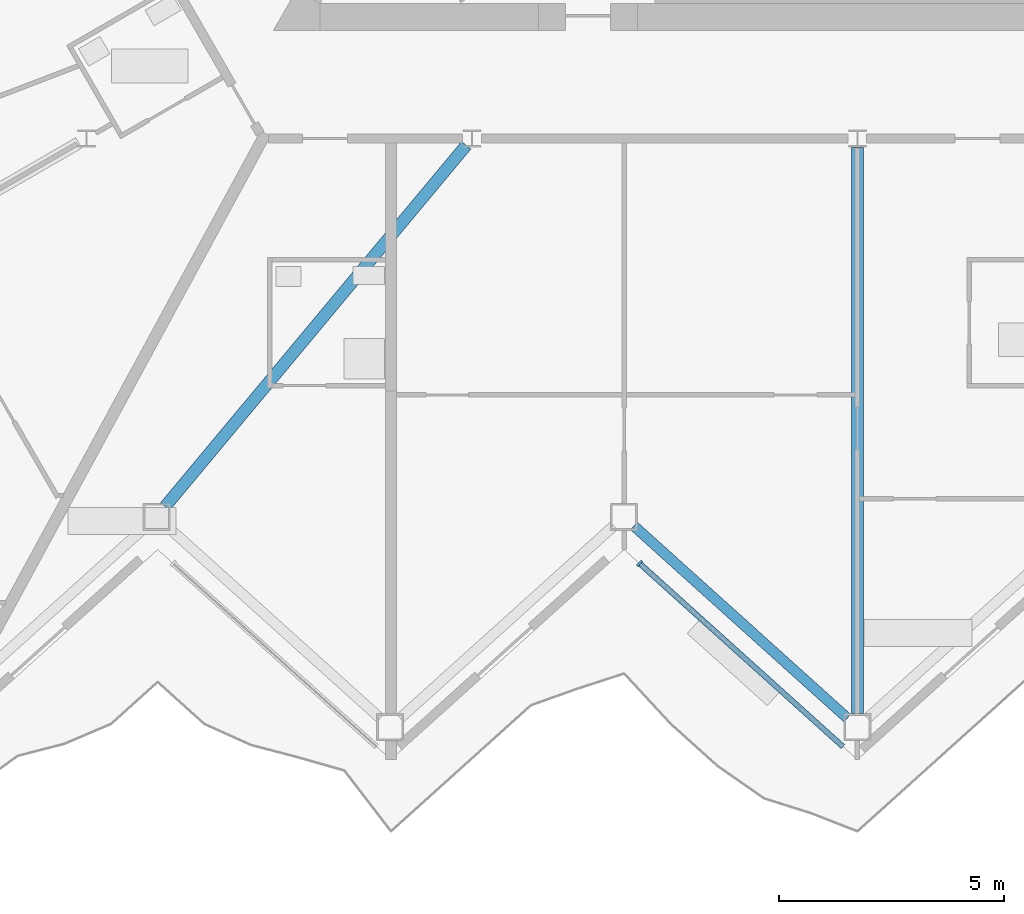
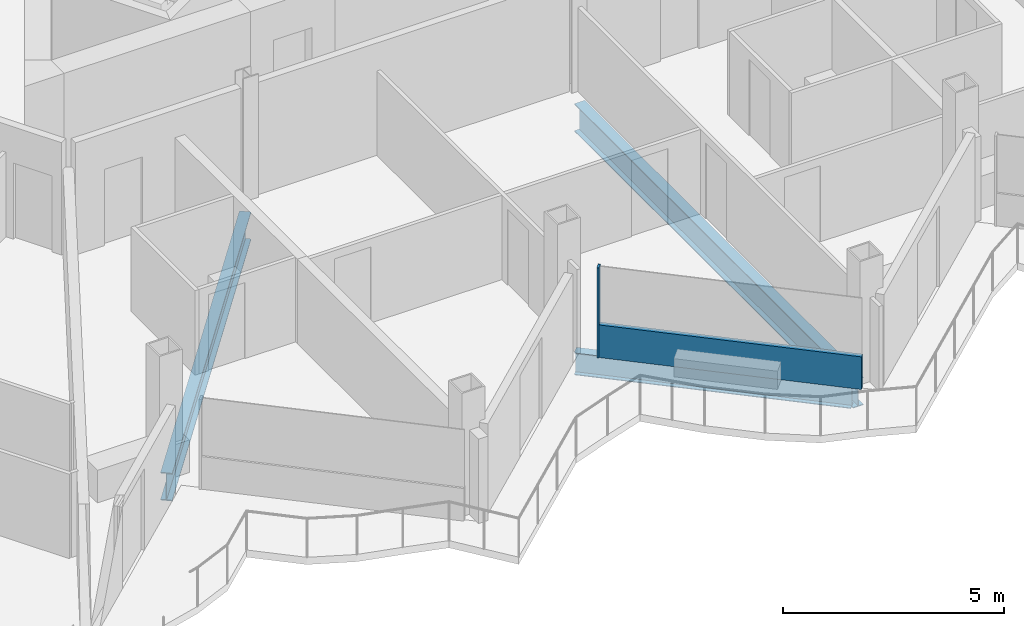
# One storey, part 5 of 28: 3 beams, 2 members, 1 element without a shape of its own.
"""IFC4 building model written with IfcOpenShell, lengths in metres."""

from ifc_helpers import new_model, si_unit, direction, frame, origin, origin_2d, place, context, subcontext, project, spatial, rectangle, i_section, extrude, material, layer, layer_set, material_profile, profile_set, type_object, element, aggregate, save


model = new_model("IFC4")

# Units and contexts
model_context = context("Model", 3, precision=1e-05, world=origin(), true_north=direction((0.0, 1.0)))
body_context = subcontext(model_context, "Body", "Model", "MODEL_VIEW")
ifc_project = project(units=[si_unit("LENGTHUNIT", "METRE"), si_unit("AREAUNIT", "SQUARE_METRE"), si_unit("VOLUMEUNIT", "CUBIC_METRE"), si_unit("PLANEANGLEUNIT", "RADIAN"), si_unit("MASSUNIT", "GRAM", prefix="KILO")], contexts=[model_context])

# Site, building, storey
site_placement = place(None, origin())
site = spatial("IfcSite", under=ifc_project, at=site_placement, CompositionType="ELEMENT")
building_placement = place(site_placement, origin())
building = spatial("IfcBuilding", under=site, at=building_placement, Name="Cormorant Prow Tower", CompositionType="ELEMENT")
storey_placement = place(building_placement, frame((0.0, 0.0, 305.199951171875)))
storey = spatial("IfcBuildingStorey", under=building, at=storey_placement, Name="L66", CompositionType="ELEMENT", Elevation=305.199951171875)

# Beams
ifc_material_1 = material(Name="Structural steel ASTM A992 Gr 50", Category="steel")
ifc_material_profile_1 = material_profile(ifc_material_1, i_section(OverallWidth=0.267822265625, OverallDepth=0.77001953125, WebThickness=0.015625, FlangeThickness=0.025390625, at=origin_2d()), Name="W30x132")
ifc_profile_set_1 = profile_set([ifc_material_profile_1], Name="Structural steel ASTM A992 Gr 50")
beam_type_1 = type_object("IfcBeamType", Name="Radial floor beam W30x132", PredefinedType="BEAM", material=ifc_profile_set_1)
beam_1_placement = place(storey_placement, frame((-8.705078125, -10.057373046875, -0.684814453125), z_axis=(-0.640239469619, -0.768175384624, 0.0), x_axis=(0.768175384624, -0.640239469619, 0.0)))
element("IfcBeam", 1, at=beam_1_placement, inside=storey, type_object=beam_type_1, Name="Radial floor beam FB3 6 L66", PredefinedType="BEAM", context=body_context, shape_type="SweptSolid", body=[
    extrude(i_section(OverallWidth=0.267822265625, OverallDepth=0.77001953125, WebThickness=0.015625, FlangeThickness=0.025390625, at=origin_2d()), origin(), (0.0, 0.0, 1.0), 10.465087890625),
])
beam_2_placement = place(storey_placement, frame((0.0, -10.103271484375, -0.684814453125), z_axis=(0.0, -1.0, 0.0), x_axis=(1.0, 0.0, 0.0)))
element("IfcBeam", 2, at=beam_2_placement, inside=storey, type_object=beam_type_1, Name="Radial floor beam FB3 7 L66", PredefinedType="BEAM", context=body_context, shape_type="SweptSolid", body=[
    extrude(i_section(OverallWidth=0.267822265625, OverallDepth=0.77001953125, WebThickness=0.015625, FlangeThickness=0.025390625, at=origin_2d()), origin(), (0.0, 0.0, 1.0), 12.604736328125),
])

# Curtain wall, members
ifc_material_2 = material(Name="Aluminium 6063-T6", Category="aluminium")
ifc_layer = layer(ifc_material_2, 0.159912109375)
ifc_layer_set = layer_set([ifc_layer], Name="Aluminium 6063-T6")
curtain_wall_type = type_object("IfcCurtainWallType", Name="Residential unitised curtain wall 160", PredefinedType="NOTDEFINED", material=ifc_layer_set)
curtain_wall_placement = place(storey_placement, origin())
curtain_wall = element("IfcCurtainWall", 3, at=curtain_wall_placement, inside=storey, type_object=curtain_wall_type, Name="Residential curtain wall S04", PredefinedType="NOTDEFINED")
ifc_material_3 = material(Name="Aluminium 6063-T6", Category="aluminium")
ifc_material_profile_2 = material_profile(ifc_material_3, rectangle(XDim=0.159912109375, YDim=0.050048828125, at=origin_2d()), Name="Residential mullion 50x160")
ifc_profile_set_2 = profile_set([ifc_material_profile_2], Name="Aluminium 6063-T6")
member_type_1 = type_object("IfcMemberType", Name="Residential mullion 50x160", PredefinedType="MULLION", material=ifc_profile_set_2)
member_1_placement = place(storey_placement, frame((-4.849853515625, -19.362060546875, 0.0), z_axis=(0.0, 0.0, 1.0), x_axis=(0.669130584997, 0.743144844712, 0.0)))
member_1 = element("IfcMember", 4, at=member_1_placement, type_object=member_type_1, Name="Residential mullion S04", PredefinedType="MULLION", context=body_context, shape_type="SweptSolid", body=[
    extrude(rectangle(XDim=0.159912109375, YDim=0.050048828125, at=origin_2d()), origin(), (0.0, 0.0, 1.0), 2.488037109375),
])
ifc_material_4 = material(Name="Terracotta", Category="masonry")
ifc_material_profile_3 = material_profile(ifc_material_4, rectangle(XDim=0.1201171875, YDim=0.89990234375, at=origin_2d()), Name="Residential terracotta spandrel rail 120x900")
ifc_profile_set_3 = profile_set([ifc_material_profile_3], Name="Terracotta")
member_type_2 = type_object("IfcMemberType", Name="Residential terracotta spandrel rail 120x900", PredefinedType="USERDEFINED", material=ifc_profile_set_3)
member_2_placement = place(storey_placement, frame((-4.831298828125, -19.37890625, 0.449951171875), z_axis=(0.74315806971, -0.669115896856, 0.0), x_axis=(0.669115896856, 0.74315806971, 0.0)))
member_2 = element("IfcMember", 5, at=member_2_placement, type_object=member_type_2, Name="Residential spandrel rail S04", ObjectType="TRANSOM", PredefinedType="USERDEFINED", context=body_context, shape_type="SweptSolid", body=[
    extrude(rectangle(XDim=0.1201171875, YDim=0.89990234375, at=origin_2d()), origin(), (0.0, 0.0, 1.0), 6.067138671875),
])
aggregate(curtain_wall, [member_1, member_2])

# Beam
ifc_material_5 = material(Name="Structural steel ASTM A992 Gr 50", Category="steel")
ifc_material_profile_4 = material_profile(ifc_material_5, i_section(OverallWidth=0.22900390625, OverallDepth=0.612060546875, WebThickness=0.011962890625, FlangeThickness=0.01953125, at=origin_2d()), Name="W24x84")
ifc_profile_set_4 = profile_set([ifc_material_profile_4], Name="Structural steel ASTM A992 Gr 50")
beam_type_2 = type_object("IfcBeamType", Name="Spandrel beam W24x84", PredefinedType="SPANDREL", material=ifc_profile_set_4)
beam_3_placement = place(storey_placement, frame((-4.97607421875, -18.527587890625, -0.60595703125), z_axis=(0.743144186555, -0.669131315954, 0.0), x_axis=(0.669131315954, 0.743144186555, 0.0)))
element("IfcBeam", 6, at=beam_3_placement, inside=storey, type_object=beam_type_2, Name="Spandrel beam SB3 S04-S05 L66", PredefinedType="SPANDREL", context=body_context, shape_type="SweptSolid", body=[
    extrude(i_section(OverallWidth=0.22900390625, OverallDepth=0.612060546875, WebThickness=0.011962890625, FlangeThickness=0.01953125, at=origin_2d()), origin(), (0.0, 0.0, 1.0), 6.39599609375),
])

save(model, "model.ifc")
